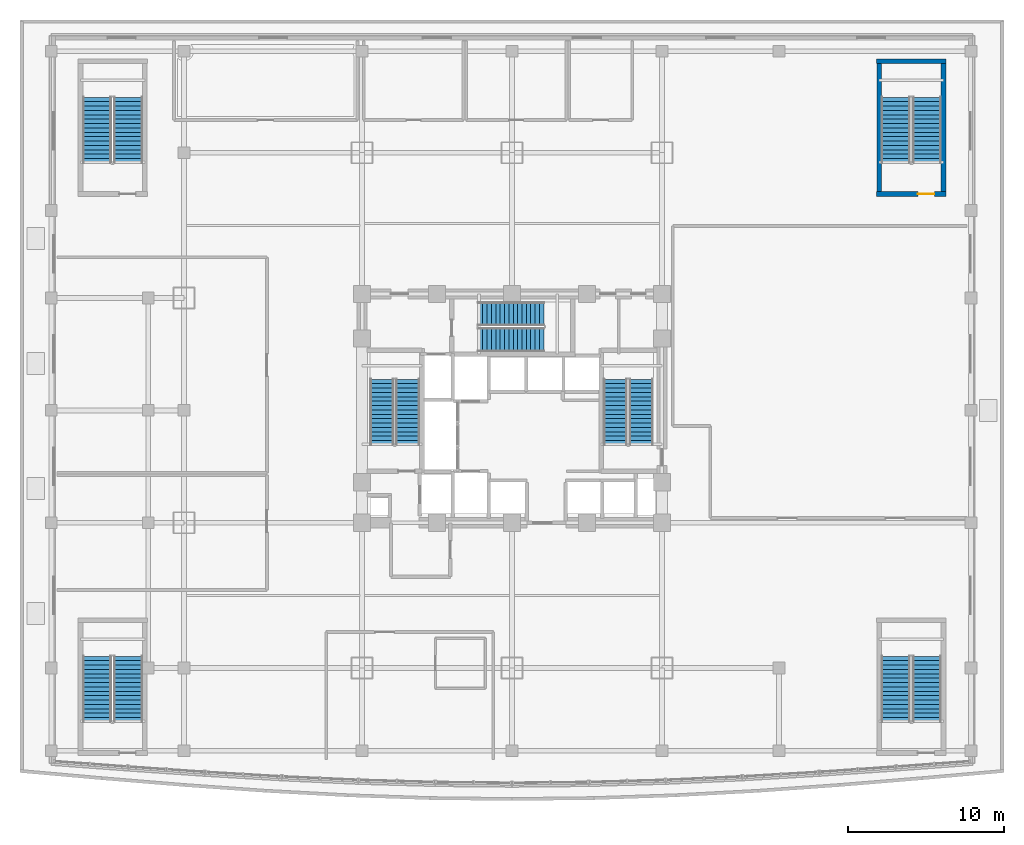
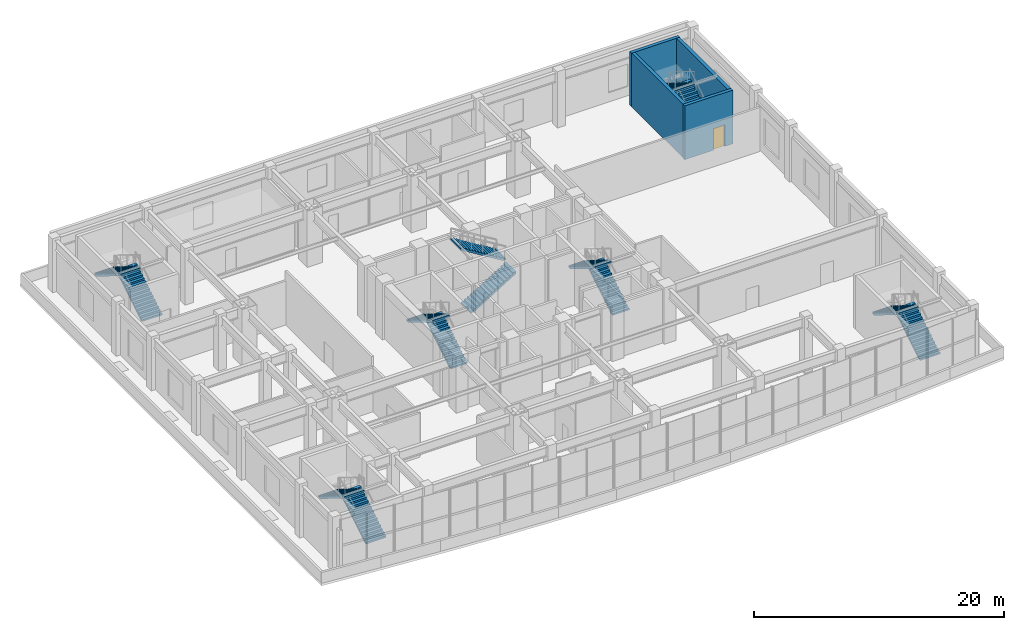
# One storey, part 15 of 24: 14 stair flights, 4 walls, 1 door, 1 opening, 7 elements without a shape of their own.
"""IFC4 building model written with IfcOpenShell, lengths in metres."""

from ifc_helpers import new_model, si_unit, direction, frame, frame_2d, origin, place, context, subcontext, project, spatial, polyline, rectangle, outline, extrude, material, layer, layer_set, type_object, element, fill, aggregate, save


model = new_model("IFC4")

# Units and contexts
model_context = context("Model", 3, precision=1e-05, world=origin(), true_north=direction((0.0, 1.0)))
body_context = subcontext(model_context, "Body", "Model", "MODEL_VIEW")
ifc_project = project(units=[si_unit("LENGTHUNIT", "METRE"), si_unit("AREAUNIT", "SQUARE_METRE"), si_unit("VOLUMEUNIT", "CUBIC_METRE"), si_unit("PLANEANGLEUNIT", "RADIAN"), si_unit("MASSUNIT", "GRAM", prefix="KILO")], contexts=[model_context])

# Site, building, storey
site_placement = place(None, origin())
site = spatial("IfcSite", under=ifc_project, at=site_placement, CompositionType="ELEMENT")
building_placement = place(site_placement, origin())
building = spatial("IfcBuilding", under=site, at=building_placement, Name="Vantalir Tower", CompositionType="ELEMENT")
storey_placement = place(building_placement, frame((0.0, 0.0, 16.0)))
storey = spatial("IfcBuildingStorey", under=building, at=storey_placement, Name="L03", CompositionType="ELEMENT", Elevation=16.0)

# Wall, opening, door
ifc_material_1 = material(Name="Concrete C50/60", Category="concrete")
ifc_layer = layer(ifc_material_1, 0.300048828125)
ifc_layer_set = layer_set([ifc_layer], Name="Concrete C50/60")
wall_type = type_object("IfcWallType", Name="WL-STAIR-300", PredefinedType="SHEAR", material=ifc_layer_set)
wall_1_placement = place(storey_placement, frame((54.85009765625, 38.860107421875, 0.0), z_axis=(0.0, 0.0, 1.0), x_axis=(1.0, 0.0, 0.0)))
wall_1 = element("IfcWall", 1, at=wall_1_placement, inside=storey, type_object=wall_type, Name="L03 PST2 South Wall", PredefinedType="SHEAR", context=body_context, shape_type="SweptSolid", body=[
    extrude(rectangle(XDim=4.449951171875, YDim=0.300048828125, at=frame_2d((2.22509765625, 0.0))), origin(), (0.0, 0.0, 1.0), 5.25),
])
opening_placement = place(wall_1_placement, frame((2.64990234375, 0.0, 0.0)))
opening = element("IfcOpeningElement", 2, at=opening_placement, cuts=wall_1, Name="Opening D-ST", PredefinedType="OPENING", context=body_context, shape_type="SweptSolid", body=[
    extrude(rectangle(XDim=1.050048828125, YDim=2.10009765625, at=frame_2d((0.52490234375, 1.050048828125))), frame((0.0, 0.159912109375, 0.0), z_axis=(0.0, -1.0, 0.0), x_axis=(1.0, 0.0, 0.0)), (0.0, 0.0, 1.0), 0.320068359375),
])
ifc_material_2 = material(Name="Fire-rated steel door leaf", Category="steel")
door_type = type_object("IfcDoorType", Name="DR-FIRE-STAIR-1050", OperationType="NOTDEFINED", PredefinedType="DOOR", material=ifc_material_2)
door_placement = place(opening_placement, origin())
door = element("IfcDoor", 3, at=door_placement, inside=storey, type_object=door_type, Name="L03 Podium Stair PST2 Fire Door", OperationType="SINGLE_SWING_LEFT", OverallHeight=2.10009765625, OverallWidth=1.050048828125, PredefinedType="DOOR", context=body_context, shape_type="SweptSolid", body=[
    extrude(rectangle(XDim=1.050048828125, YDim=2.10009765625, at=frame_2d((0.52490234375, 1.050048828125))), frame((0.0, 0.02490234375, 0.0), z_axis=(0.0, -1.0, 0.0), x_axis=(1.0, 0.0, 0.0)), (0.0, 0.0, 1.0), 0.050048828125),
])
fill(opening, door)

# Walls
wall_2_placement = place(storey_placement, frame((54.85009765625, 47.360107421875, 0.0), z_axis=(0.0, 0.0, 1.0), x_axis=(1.0, 0.0, 0.0)))
element("IfcWall", 4, at=wall_2_placement, inside=storey, type_object=wall_type, Name="L03 PST2 North Wall", PredefinedType="SHEAR", context=body_context, shape_type="SweptSolid", body=[
    extrude(rectangle(XDim=4.449951171875, YDim=0.300048828125, at=frame_2d((2.22509765625, 0.0))), origin(), (0.0, 0.0, 1.0), 5.25),
])
for number, where, z_axis, x_axis, name in (
    (5, (55.010009765625, 38.860107421875, 0.0), (0.0, 0.0, 1.0), (0.0, 1.0, 0.0), "L03 PST2 West Wall"),
    (6, (59.139892578125, 38.860107421875, 0.0), (0.0, 0.0, 1.0), (0.0, 1.0, 0.0), "L03 PST2 East Wall"),
):
    element("IfcWall", number, at=place(storey_placement, frame(where, z_axis=z_axis, x_axis=x_axis)), inside=storey, type_object=wall_type, Name=name, PredefinedType="SHEAR", context=body_context, shape_type="SweptSolid", body=[
        extrude(rectangle(XDim=8.5, YDim=0.300048828125, at=frame_2d((4.25, 0.0))), origin(), (0.0, 0.0, 1.0), 5.25),
    ])

# Stair, stair flights
ifc_material_3 = material(Name="Concrete C40/50", Category="concrete")
stair_type_1 = type_object("IfcStairType", Name="STR-CORE-1450", PredefinedType="HALF_TURN_STAIR", material=ifc_material_3)
stair_1_placement = place(storey_placement, origin())
stair_1 = element("IfcStair", 7, at=stair_1_placement, inside=storey, type_object=stair_type_1, Name="L03 Core Exit Stair 1", PredefinedType="HALF_TURN_STAIR")
stair_flight_type_1 = type_object("IfcStairFlightType", Name="FLT-CORE-1450", PredefinedType="STRAIGHT", material=ifc_material_3)
stair_flight_1_placement = place(storey_placement, frame((24.830078125, 22.7900390625, 0.0), z_axis=(0.0, 0.0, 1.0), x_axis=(0.0, 1.0, 0.0)))
stair_flight_1 = element("IfcStairFlight", 8, at=stair_flight_1_placement, type_object=stair_flight_type_1, Name="ST1 flight 1", NumberOfRisers=16, NumberOfTreads=15, PredefinedType="STRAIGHT", RiserHeight=0.171875, TreadLength=0.28, context=body_context, shape_type="SweptSolid", body=[
    extrude(outline(polyline([(0.0, 0.0), (0.0, 0.171875), (0.280029296875, 0.171875), (0.280029296875, 0.34375), (0.56005859375, 0.34375), (0.56005859375, 0.515625), (0.840087890625, 0.515625), (0.840087890625, 0.6875), (1.1201171875, 0.6875), (1.1201171875, 0.859375), (1.39990234375, 0.859375), (1.39990234375, 1.03125), (1.679931640625, 1.03125), (1.679931640625, 1.203125), (1.9599609375, 1.203125), (1.9599609375, 1.375), (2.239990234375, 1.375), (2.239990234375, 1.546875), (2.52001953125, 1.546875), (2.52001953125, 1.71875), (2.800048828125, 1.71875), (2.800048828125, 1.890625), (3.080078125, 1.890625), (3.080078125, 2.0625), (3.360107421875, 2.0625), (3.360107421875, 2.234375), (3.639892578125, 2.234375), (3.639892578125, 2.40625), (3.919921875, 2.40625), (3.919921875, 2.578125), (4.199951171875, 2.578125), (4.199951171875, 2.75), (4.199951171875, 2.40234375), (0.28662109375, 0.0), (0.0, 0.0)])), frame((0.0, 0.77001953125, 0.0), z_axis=(0.0, -1.0, 0.0), x_axis=(1.0, 0.0, 0.0)), (0.0, 0.0, 1.0), 1.5400390625),
])
stair_flight_2_placement = place(storey_placement, frame((23.169921875, 26.989990234375, 2.75), z_axis=(0.0, 0.0, 1.0), x_axis=(0.0, -1.0, 0.0)))
stair_flight_2 = element("IfcStairFlight", 9, at=stair_flight_2_placement, type_object=stair_flight_type_1, Name="ST1 flight 2", NumberOfRisers=16, NumberOfTreads=15, PredefinedType="STRAIGHT", RiserHeight=0.171875, TreadLength=0.28, context=body_context, shape_type="SweptSolid", body=[
    extrude(outline(polyline([(0.0, 0.0), (0.0, 0.171875), (0.280029296875, 0.171875), (0.280029296875, 0.34375), (0.56005859375, 0.34375), (0.56005859375, 0.515625), (0.840087890625, 0.515625), (0.840087890625, 0.6875), (1.1201171875, 0.6875), (1.1201171875, 0.859375), (1.39990234375, 0.859375), (1.39990234375, 1.03125), (1.679931640625, 1.03125), (1.679931640625, 1.203125), (1.9599609375, 1.203125), (1.9599609375, 1.375), (2.239990234375, 1.375), (2.239990234375, 1.546875), (2.52001953125, 1.546875), (2.52001953125, 1.71875), (2.800048828125, 1.71875), (2.800048828125, 1.890625), (3.080078125, 1.890625), (3.080078125, 2.0625), (3.360107421875, 2.0625), (3.360107421875, 2.234375), (3.639892578125, 2.234375), (3.639892578125, 2.40625), (3.919921875, 2.40625), (3.919921875, 2.578125), (4.199951171875, 2.578125), (4.199951171875, 2.75), (4.199951171875, 2.40234375), (0.28662109375, 0.0), (0.0, 0.0)])), frame((0.0, 0.77001953125, 0.0), z_axis=(0.0, -1.0, 0.0), x_axis=(1.0, 0.0, 0.0)), (0.0, 0.0, 1.0), 1.5400390625),
])
aggregate(stair_1, [stair_flight_1, stair_flight_2])

stair_2_placement = place(storey_placement, origin())
stair_2 = element("IfcStair", 10, at=stair_2_placement, inside=storey, type_object=stair_type_1, Name="L03 Core Exit Stair 2", PredefinedType="HALF_TURN_STAIR")
stair_flight_3_placement = place(storey_placement, frame((39.780029296875, 22.7900390625, 0.0), z_axis=(0.0, 0.0, 1.0), x_axis=(0.0, 1.0, 0.0)))
stair_flight_3 = element("IfcStairFlight", 11, at=stair_flight_3_placement, type_object=stair_flight_type_1, Name="ST2 flight 1", NumberOfRisers=16, NumberOfTreads=15, PredefinedType="STRAIGHT", RiserHeight=0.171875, TreadLength=0.28, context=body_context, shape_type="SweptSolid", body=[
    extrude(outline(polyline([(0.0, 0.0), (0.0, 0.171875), (0.280029296875, 0.171875), (0.280029296875, 0.34375), (0.56005859375, 0.34375), (0.56005859375, 0.515625), (0.840087890625, 0.515625), (0.840087890625, 0.6875), (1.1201171875, 0.6875), (1.1201171875, 0.859375), (1.39990234375, 0.859375), (1.39990234375, 1.03125), (1.679931640625, 1.03125), (1.679931640625, 1.203125), (1.9599609375, 1.203125), (1.9599609375, 1.375), (2.239990234375, 1.375), (2.239990234375, 1.546875), (2.52001953125, 1.546875), (2.52001953125, 1.71875), (2.800048828125, 1.71875), (2.800048828125, 1.890625), (3.080078125, 1.890625), (3.080078125, 2.0625), (3.360107421875, 2.0625), (3.360107421875, 2.234375), (3.639892578125, 2.234375), (3.639892578125, 2.40625), (3.919921875, 2.40625), (3.919921875, 2.578125), (4.199951171875, 2.578125), (4.199951171875, 2.75), (4.199951171875, 2.40234375), (0.28662109375, 0.0), (0.0, 0.0)])), frame((0.0, 0.77001953125, 0.0), z_axis=(0.0, -1.0, 0.0), x_axis=(1.0, 0.0, 0.0)), (0.0, 0.0, 1.0), 1.5400390625),
])
stair_flight_4_placement = place(storey_placement, frame((38.1201171875, 26.989990234375, 2.75), z_axis=(0.0, 0.0, 1.0), x_axis=(0.0, -1.0, 0.0)))
stair_flight_4 = element("IfcStairFlight", 12, at=stair_flight_4_placement, type_object=stair_flight_type_1, Name="ST2 flight 2", NumberOfRisers=16, NumberOfTreads=15, PredefinedType="STRAIGHT", RiserHeight=0.171875, TreadLength=0.28, context=body_context, shape_type="SweptSolid", body=[
    extrude(outline(polyline([(0.0, 0.0), (0.0, 0.171875), (0.280029296875, 0.171875), (0.280029296875, 0.34375), (0.56005859375, 0.34375), (0.56005859375, 0.515625), (0.840087890625, 0.515625), (0.840087890625, 0.6875), (1.1201171875, 0.6875), (1.1201171875, 0.859375), (1.39990234375, 0.859375), (1.39990234375, 1.03125), (1.679931640625, 1.03125), (1.679931640625, 1.203125), (1.9599609375, 1.203125), (1.9599609375, 1.375), (2.239990234375, 1.375), (2.239990234375, 1.546875), (2.52001953125, 1.546875), (2.52001953125, 1.71875), (2.800048828125, 1.71875), (2.800048828125, 1.890625), (3.080078125, 1.890625), (3.080078125, 2.0625), (3.360107421875, 2.0625), (3.360107421875, 2.234375), (3.639892578125, 2.234375), (3.639892578125, 2.40625), (3.919921875, 2.40625), (3.919921875, 2.578125), (4.199951171875, 2.578125), (4.199951171875, 2.75), (4.199951171875, 2.40234375), (0.28662109375, 0.0), (0.0, 0.0)])), frame((0.0, 0.77001953125, 0.0), z_axis=(0.0, -1.0, 0.0), x_axis=(1.0, 0.0, 0.0)), (0.0, 0.0, 1.0), 1.5400390625),
])
aggregate(stair_2, [stair_flight_3, stair_flight_4])

stair_3_placement = place(storey_placement, origin())
stair_3 = element("IfcStair", 13, at=stair_3_placement, inside=storey, type_object=stair_type_1, Name="L03 Core Exit Stair 3", PredefinedType="HALF_TURN_STAIR")
stair_flight_5_placement = place(storey_placement, frame((29.340087890625, 29.52001953125, 0.0), z_axis=(0.0, 0.0, 1.0), x_axis=(1.0, 0.0, 0.0)))
stair_flight_5 = element("IfcStairFlight", 14, at=stair_flight_5_placement, type_object=stair_flight_type_1, Name="ST3 flight 1", NumberOfRisers=16, NumberOfTreads=15, PredefinedType="STRAIGHT", RiserHeight=0.171875, TreadLength=0.28, context=body_context, shape_type="SweptSolid", body=[
    extrude(outline(polyline([(0.0, 0.0), (0.0, 0.171875), (0.280029296875, 0.171875), (0.280029296875, 0.34375), (0.56005859375, 0.34375), (0.56005859375, 0.515625), (0.840087890625, 0.515625), (0.840087890625, 0.6875), (1.1201171875, 0.6875), (1.1201171875, 0.859375), (1.39990234375, 0.859375), (1.39990234375, 1.03125), (1.679931640625, 1.03125), (1.679931640625, 1.203125), (1.9599609375, 1.203125), (1.9599609375, 1.375), (2.239990234375, 1.375), (2.239990234375, 1.546875), (2.52001953125, 1.546875), (2.52001953125, 1.71875), (2.800048828125, 1.71875), (2.800048828125, 1.890625), (3.080078125, 1.890625), (3.080078125, 2.0625), (3.360107421875, 2.0625), (3.360107421875, 2.234375), (3.639892578125, 2.234375), (3.639892578125, 2.40625), (3.919921875, 2.40625), (3.919921875, 2.578125), (4.199951171875, 2.578125), (4.199951171875, 2.75), (4.199951171875, 2.40234375), (0.28662109375, 0.0), (0.0, 0.0)])), frame((0.0, 0.77001953125, 0.0), z_axis=(0.0, -1.0, 0.0), x_axis=(1.0, 0.0, 0.0)), (0.0, 0.0, 1.0), 1.5400390625),
])
stair_flight_6_placement = place(storey_placement, frame((33.5400390625, 31.179931640625, 2.75), z_axis=(0.0, 0.0, 1.0), x_axis=(-1.0, 0.0, 0.0)))
stair_flight_6 = element("IfcStairFlight", 15, at=stair_flight_6_placement, type_object=stair_flight_type_1, Name="ST3 flight 2", NumberOfRisers=16, NumberOfTreads=15, PredefinedType="STRAIGHT", RiserHeight=0.171875, TreadLength=0.28, context=body_context, shape_type="SweptSolid", body=[
    extrude(outline(polyline([(0.0, 0.0), (0.0, 0.171875), (0.280029296875, 0.171875), (0.280029296875, 0.34375), (0.56005859375, 0.34375), (0.56005859375, 0.515625), (0.840087890625, 0.515625), (0.840087890625, 0.6875), (1.1201171875, 0.6875), (1.1201171875, 0.859375), (1.39990234375, 0.859375), (1.39990234375, 1.03125), (1.679931640625, 1.03125), (1.679931640625, 1.203125), (1.9599609375, 1.203125), (1.9599609375, 1.375), (2.239990234375, 1.375), (2.239990234375, 1.546875), (2.52001953125, 1.546875), (2.52001953125, 1.71875), (2.800048828125, 1.71875), (2.800048828125, 1.890625), (3.080078125, 1.890625), (3.080078125, 2.0625), (3.360107421875, 2.0625), (3.360107421875, 2.234375), (3.639892578125, 2.234375), (3.639892578125, 2.40625), (3.919921875, 2.40625), (3.919921875, 2.578125), (4.199951171875, 2.578125), (4.199951171875, 2.75), (4.199951171875, 2.40234375), (0.28662109375, 0.0), (0.0, 0.0)])), frame((0.0, 0.77001953125, 0.0), z_axis=(0.0, -1.0, 0.0), x_axis=(1.0, 0.0, 0.0)), (0.0, 0.0, 1.0), 1.5400390625),
])
aggregate(stair_3, [stair_flight_5, stair_flight_6])

stair_type_2 = type_object("IfcStairType", Name="STR-POD-1550", PredefinedType="HALF_TURN_STAIR", material=ifc_material_3)
stair_4_placement = place(storey_placement, origin())
stair_4 = element("IfcStair", 16, at=stair_4_placement, inside=storey, type_object=stair_type_2, Name="L03 Podium Exit Stair 1", PredefinedType="HALF_TURN_STAIR")
stair_flight_type_2 = type_object("IfcStairFlightType", Name="FLT-POD-1550", PredefinedType="STRAIGHT", material=ifc_material_3)
stair_flight_7_placement = place(storey_placement, frame((6.925048828125, 40.85009765625, 0.0), z_axis=(0.0, 0.0, 1.0), x_axis=(0.0, 1.0, 0.0)))
stair_flight_7 = element("IfcStairFlight", 17, at=stair_flight_7_placement, type_object=stair_flight_type_2, Name="PST1 flight 1", NumberOfRisers=16, NumberOfTreads=15, PredefinedType="STRAIGHT", RiserHeight=0.171875, TreadLength=0.28, context=body_context, shape_type="SweptSolid", body=[
    extrude(outline(polyline([(0.0, 0.0), (0.0, 0.171875), (0.280029296875, 0.171875), (0.280029296875, 0.34375), (0.56005859375, 0.34375), (0.56005859375, 0.515625), (0.840087890625, 0.515625), (0.840087890625, 0.6875), (1.1201171875, 0.6875), (1.1201171875, 0.859375), (1.39990234375, 0.859375), (1.39990234375, 1.03125), (1.679931640625, 1.03125), (1.679931640625, 1.203125), (1.9599609375, 1.203125), (1.9599609375, 1.375), (2.239990234375, 1.375), (2.239990234375, 1.546875), (2.52001953125, 1.546875), (2.52001953125, 1.71875), (2.800048828125, 1.71875), (2.800048828125, 1.890625), (3.080078125, 1.890625), (3.080078125, 2.0625), (3.360107421875, 2.0625), (3.360107421875, 2.234375), (3.639892578125, 2.234375), (3.639892578125, 2.40625), (3.919921875, 2.40625), (3.919921875, 2.578125), (4.199951171875, 2.578125), (4.199951171875, 2.75), (4.199951171875, 2.40234375), (0.28662109375, 0.0), (0.0, 0.0)])), frame((0.0, 0.925048828125, 0.0), z_axis=(0.0, -1.0, 0.0), x_axis=(1.0, 0.0, 0.0)), (0.0, 0.0, 1.0), 1.85009765625),
])
stair_flight_8_placement = place(storey_placement, frame((4.925048828125, 45.050048828125, 2.75), z_axis=(0.0, 0.0, 1.0), x_axis=(0.0, -1.0, 0.0)))
stair_flight_8 = element("IfcStairFlight", 18, at=stair_flight_8_placement, type_object=stair_flight_type_2, Name="PST1 flight 2", NumberOfRisers=16, NumberOfTreads=15, PredefinedType="STRAIGHT", RiserHeight=0.171875, TreadLength=0.28, context=body_context, shape_type="SweptSolid", body=[
    extrude(outline(polyline([(0.0, 0.0), (0.0, 0.171875), (0.280029296875, 0.171875), (0.280029296875, 0.34375), (0.56005859375, 0.34375), (0.56005859375, 0.515625), (0.840087890625, 0.515625), (0.840087890625, 0.6875), (1.1201171875, 0.6875), (1.1201171875, 0.859375), (1.39990234375, 0.859375), (1.39990234375, 1.03125), (1.679931640625, 1.03125), (1.679931640625, 1.203125), (1.9599609375, 1.203125), (1.9599609375, 1.375), (2.239990234375, 1.375), (2.239990234375, 1.546875), (2.52001953125, 1.546875), (2.52001953125, 1.71875), (2.800048828125, 1.71875), (2.800048828125, 1.890625), (3.080078125, 1.890625), (3.080078125, 2.0625), (3.360107421875, 2.0625), (3.360107421875, 2.234375), (3.639892578125, 2.234375), (3.639892578125, 2.40625), (3.919921875, 2.40625), (3.919921875, 2.578125), (4.199951171875, 2.578125), (4.199951171875, 2.75), (4.199951171875, 2.40234375), (0.28662109375, 0.0), (0.0, 0.0)])), frame((0.0, 0.925048828125, 0.0), z_axis=(0.0, -1.0, 0.0), x_axis=(1.0, 0.0, 0.0)), (0.0, 0.0, 1.0), 1.85009765625),
])
aggregate(stair_4, [stair_flight_7, stair_flight_8])

stair_5_placement = place(storey_placement, origin())
stair_5 = element("IfcStair", 19, at=stair_5_placement, inside=storey, type_object=stair_type_2, Name="L03 Podium Exit Stair 2", PredefinedType="HALF_TURN_STAIR")
stair_flight_9_placement = place(storey_placement, frame((58.074951171875, 40.85009765625, 0.0), z_axis=(0.0, 0.0, 1.0), x_axis=(0.0, 1.0, 0.0)))
stair_flight_9 = element("IfcStairFlight", 20, at=stair_flight_9_placement, type_object=stair_flight_type_2, Name="PST2 flight 1", NumberOfRisers=16, NumberOfTreads=15, PredefinedType="STRAIGHT", RiserHeight=0.171875, TreadLength=0.28, context=body_context, shape_type="SweptSolid", body=[
    extrude(outline(polyline([(0.0, 0.0), (0.0, 0.171875), (0.280029296875, 0.171875), (0.280029296875, 0.34375), (0.56005859375, 0.34375), (0.56005859375, 0.515625), (0.840087890625, 0.515625), (0.840087890625, 0.6875), (1.1201171875, 0.6875), (1.1201171875, 0.859375), (1.39990234375, 0.859375), (1.39990234375, 1.03125), (1.679931640625, 1.03125), (1.679931640625, 1.203125), (1.9599609375, 1.203125), (1.9599609375, 1.375), (2.239990234375, 1.375), (2.239990234375, 1.546875), (2.52001953125, 1.546875), (2.52001953125, 1.71875), (2.800048828125, 1.71875), (2.800048828125, 1.890625), (3.080078125, 1.890625), (3.080078125, 2.0625), (3.360107421875, 2.0625), (3.360107421875, 2.234375), (3.639892578125, 2.234375), (3.639892578125, 2.40625), (3.919921875, 2.40625), (3.919921875, 2.578125), (4.199951171875, 2.578125), (4.199951171875, 2.75), (4.199951171875, 2.40234375), (0.28662109375, 0.0), (0.0, 0.0)])), frame((0.0, 0.925048828125, 0.0), z_axis=(0.0, -1.0, 0.0), x_axis=(1.0, 0.0, 0.0)), (0.0, 0.0, 1.0), 1.85009765625),
])
stair_flight_10_placement = place(storey_placement, frame((56.074951171875, 45.050048828125, 2.75), z_axis=(0.0, 0.0, 1.0), x_axis=(0.0, -1.0, 0.0)))
stair_flight_10 = element("IfcStairFlight", 21, at=stair_flight_10_placement, type_object=stair_flight_type_2, Name="PST2 flight 2", NumberOfRisers=16, NumberOfTreads=15, PredefinedType="STRAIGHT", RiserHeight=0.171875, TreadLength=0.28, context=body_context, shape_type="SweptSolid", body=[
    extrude(outline(polyline([(0.0, 0.0), (0.0, 0.171875), (0.280029296875, 0.171875), (0.280029296875, 0.34375), (0.56005859375, 0.34375), (0.56005859375, 0.515625), (0.840087890625, 0.515625), (0.840087890625, 0.6875), (1.1201171875, 0.6875), (1.1201171875, 0.859375), (1.39990234375, 0.859375), (1.39990234375, 1.03125), (1.679931640625, 1.03125), (1.679931640625, 1.203125), (1.9599609375, 1.203125), (1.9599609375, 1.375), (2.239990234375, 1.375), (2.239990234375, 1.546875), (2.52001953125, 1.546875), (2.52001953125, 1.71875), (2.800048828125, 1.71875), (2.800048828125, 1.890625), (3.080078125, 1.890625), (3.080078125, 2.0625), (3.360107421875, 2.0625), (3.360107421875, 2.234375), (3.639892578125, 2.234375), (3.639892578125, 2.40625), (3.919921875, 2.40625), (3.919921875, 2.578125), (4.199951171875, 2.578125), (4.199951171875, 2.75), (4.199951171875, 2.40234375), (0.28662109375, 0.0), (0.0, 0.0)])), frame((0.0, 0.925048828125, 0.0), z_axis=(0.0, -1.0, 0.0), x_axis=(1.0, 0.0, 0.0)), (0.0, 0.0, 1.0), 1.85009765625),
])
aggregate(stair_5, [stair_flight_9, stair_flight_10])

stair_6_placement = place(storey_placement, origin())
stair_6 = element("IfcStair", 22, at=stair_6_placement, inside=storey, type_object=stair_type_2, Name="L03 Podium Exit Stair 3", PredefinedType="HALF_TURN_STAIR")
stair_flight_11_placement = place(storey_placement, frame((6.925048828125, 5.050048828125, 0.0), z_axis=(0.0, 0.0, 1.0), x_axis=(0.0, 1.0, 0.0)))
stair_flight_11 = element("IfcStairFlight", 23, at=stair_flight_11_placement, type_object=stair_flight_type_2, Name="PST3 flight 1", NumberOfRisers=16, NumberOfTreads=15, PredefinedType="STRAIGHT", RiserHeight=0.171875, TreadLength=0.28, context=body_context, shape_type="SweptSolid", body=[
    extrude(outline(polyline([(0.0, 0.0), (0.0, 0.171875), (0.280029296875, 0.171875), (0.280029296875, 0.34375), (0.56005859375, 0.34375), (0.56005859375, 0.515625), (0.840087890625, 0.515625), (0.840087890625, 0.6875), (1.1201171875, 0.6875), (1.1201171875, 0.859375), (1.39990234375, 0.859375), (1.39990234375, 1.03125), (1.679931640625, 1.03125), (1.679931640625, 1.203125), (1.9599609375, 1.203125), (1.9599609375, 1.375), (2.239990234375, 1.375), (2.239990234375, 1.546875), (2.52001953125, 1.546875), (2.52001953125, 1.71875), (2.800048828125, 1.71875), (2.800048828125, 1.890625), (3.080078125, 1.890625), (3.080078125, 2.0625), (3.360107421875, 2.0625), (3.360107421875, 2.234375), (3.639892578125, 2.234375), (3.639892578125, 2.40625), (3.919921875, 2.40625), (3.919921875, 2.578125), (4.199951171875, 2.578125), (4.199951171875, 2.75), (4.199951171875, 2.40234375), (0.28662109375, 0.0), (0.0, 0.0)])), frame((0.0, 0.925048828125, 0.0), z_axis=(0.0, -1.0, 0.0), x_axis=(1.0, 0.0, 0.0)), (0.0, 0.0, 1.0), 1.85009765625),
])
stair_flight_12_placement = place(storey_placement, frame((4.925048828125, 9.25, 2.75), z_axis=(0.0, 0.0, 1.0), x_axis=(0.0, -1.0, 0.0)))
stair_flight_12 = element("IfcStairFlight", 24, at=stair_flight_12_placement, type_object=stair_flight_type_2, Name="PST3 flight 2", NumberOfRisers=16, NumberOfTreads=15, PredefinedType="STRAIGHT", RiserHeight=0.171875, TreadLength=0.28, context=body_context, shape_type="SweptSolid", body=[
    extrude(outline(polyline([(0.0, 0.0), (0.0, 0.171875), (0.280029296875, 0.171875), (0.280029296875, 0.34375), (0.56005859375, 0.34375), (0.56005859375, 0.515625), (0.840087890625, 0.515625), (0.840087890625, 0.6875), (1.1201171875, 0.6875), (1.1201171875, 0.859375), (1.39990234375, 0.859375), (1.39990234375, 1.03125), (1.679931640625, 1.03125), (1.679931640625, 1.203125), (1.9599609375, 1.203125), (1.9599609375, 1.375), (2.239990234375, 1.375), (2.239990234375, 1.546875), (2.52001953125, 1.546875), (2.52001953125, 1.71875), (2.800048828125, 1.71875), (2.800048828125, 1.890625), (3.080078125, 1.890625), (3.080078125, 2.0625), (3.360107421875, 2.0625), (3.360107421875, 2.234375), (3.639892578125, 2.234375), (3.639892578125, 2.40625), (3.919921875, 2.40625), (3.919921875, 2.578125), (4.199951171875, 2.578125), (4.199951171875, 2.75), (4.199951171875, 2.40234375), (0.28662109375, 0.0), (0.0, 0.0)])), frame((0.0, 0.925048828125, 0.0), z_axis=(0.0, -1.0, 0.0), x_axis=(1.0, 0.0, 0.0)), (0.0, 0.0, 1.0), 1.85009765625),
])
aggregate(stair_6, [stair_flight_11, stair_flight_12])

stair_7_placement = place(storey_placement, origin())
stair_7 = element("IfcStair", 25, at=stair_7_placement, inside=storey, type_object=stair_type_2, Name="L03 Podium Exit Stair 4", PredefinedType="HALF_TURN_STAIR")
stair_flight_13_placement = place(storey_placement, frame((58.074951171875, 5.050048828125, 0.0), z_axis=(0.0, 0.0, 1.0), x_axis=(0.0, 1.0, 0.0)))
stair_flight_13 = element("IfcStairFlight", 26, at=stair_flight_13_placement, type_object=stair_flight_type_2, Name="PST4 flight 1", NumberOfRisers=16, NumberOfTreads=15, PredefinedType="STRAIGHT", RiserHeight=0.171875, TreadLength=0.28, context=body_context, shape_type="SweptSolid", body=[
    extrude(outline(polyline([(0.0, 0.0), (0.0, 0.171875), (0.280029296875, 0.171875), (0.280029296875, 0.34375), (0.56005859375, 0.34375), (0.56005859375, 0.515625), (0.840087890625, 0.515625), (0.840087890625, 0.6875), (1.1201171875, 0.6875), (1.1201171875, 0.859375), (1.39990234375, 0.859375), (1.39990234375, 1.03125), (1.679931640625, 1.03125), (1.679931640625, 1.203125), (1.9599609375, 1.203125), (1.9599609375, 1.375), (2.239990234375, 1.375), (2.239990234375, 1.546875), (2.52001953125, 1.546875), (2.52001953125, 1.71875), (2.800048828125, 1.71875), (2.800048828125, 1.890625), (3.080078125, 1.890625), (3.080078125, 2.0625), (3.360107421875, 2.0625), (3.360107421875, 2.234375), (3.639892578125, 2.234375), (3.639892578125, 2.40625), (3.919921875, 2.40625), (3.919921875, 2.578125), (4.199951171875, 2.578125), (4.199951171875, 2.75), (4.199951171875, 2.40234375), (0.28662109375, 0.0), (0.0, 0.0)])), frame((0.0, 0.925048828125, 0.0), z_axis=(0.0, -1.0, 0.0), x_axis=(1.0, 0.0, 0.0)), (0.0, 0.0, 1.0), 1.85009765625),
])
stair_flight_14_placement = place(storey_placement, frame((56.074951171875, 9.25, 2.75), z_axis=(0.0, 0.0, 1.0), x_axis=(0.0, -1.0, 0.0)))
stair_flight_14 = element("IfcStairFlight", 27, at=stair_flight_14_placement, type_object=stair_flight_type_2, Name="PST4 flight 2", NumberOfRisers=16, NumberOfTreads=15, PredefinedType="STRAIGHT", RiserHeight=0.171875, TreadLength=0.28, context=body_context, shape_type="SweptSolid", body=[
    extrude(outline(polyline([(0.0, 0.0), (0.0, 0.171875), (0.280029296875, 0.171875), (0.280029296875, 0.34375), (0.56005859375, 0.34375), (0.56005859375, 0.515625), (0.840087890625, 0.515625), (0.840087890625, 0.6875), (1.1201171875, 0.6875), (1.1201171875, 0.859375), (1.39990234375, 0.859375), (1.39990234375, 1.03125), (1.679931640625, 1.03125), (1.679931640625, 1.203125), (1.9599609375, 1.203125), (1.9599609375, 1.375), (2.239990234375, 1.375), (2.239990234375, 1.546875), (2.52001953125, 1.546875), (2.52001953125, 1.71875), (2.800048828125, 1.71875), (2.800048828125, 1.890625), (3.080078125, 1.890625), (3.080078125, 2.0625), (3.360107421875, 2.0625), (3.360107421875, 2.234375), (3.639892578125, 2.234375), (3.639892578125, 2.40625), (3.919921875, 2.40625), (3.919921875, 2.578125), (4.199951171875, 2.578125), (4.199951171875, 2.75), (4.199951171875, 2.40234375), (0.28662109375, 0.0), (0.0, 0.0)])), frame((0.0, 0.925048828125, 0.0), z_axis=(0.0, -1.0, 0.0), x_axis=(1.0, 0.0, 0.0)), (0.0, 0.0, 1.0), 1.85009765625),
])
aggregate(stair_7, [stair_flight_13, stair_flight_14])

save(model, "model.ifc")
